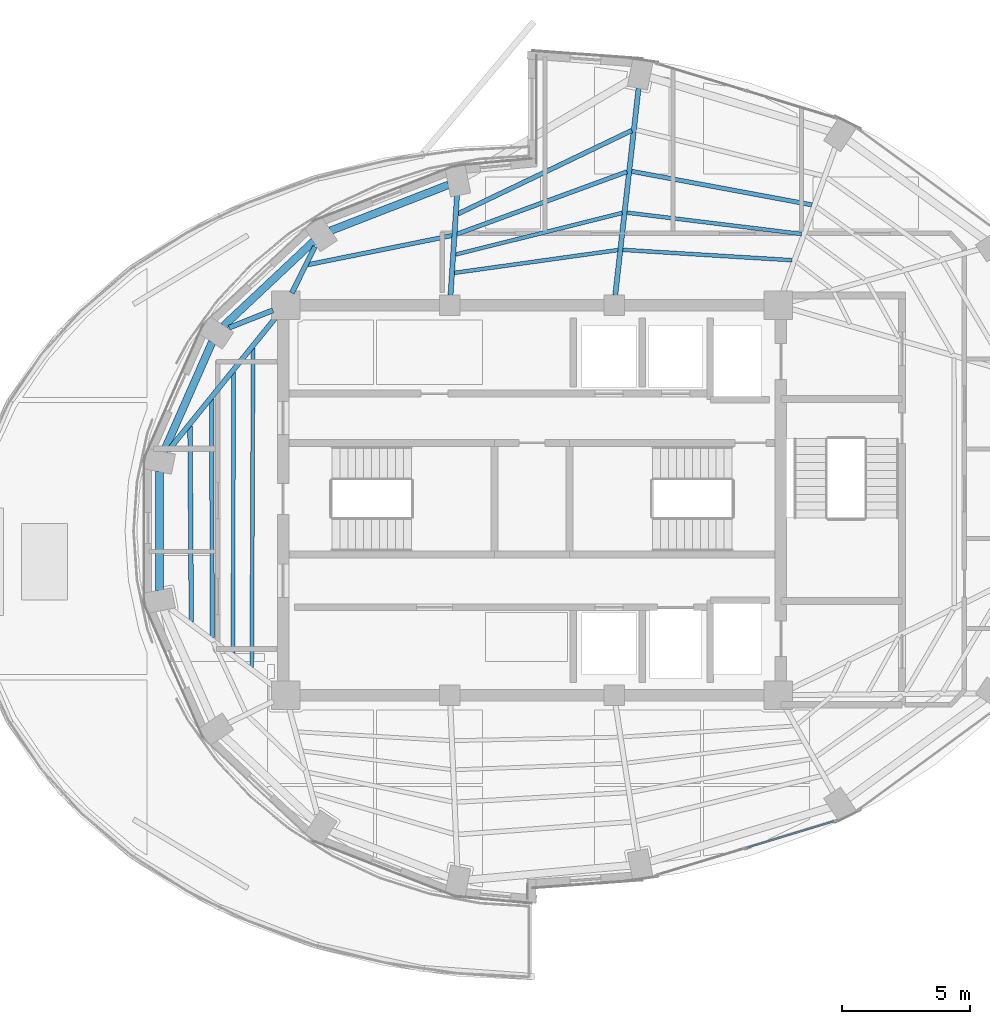
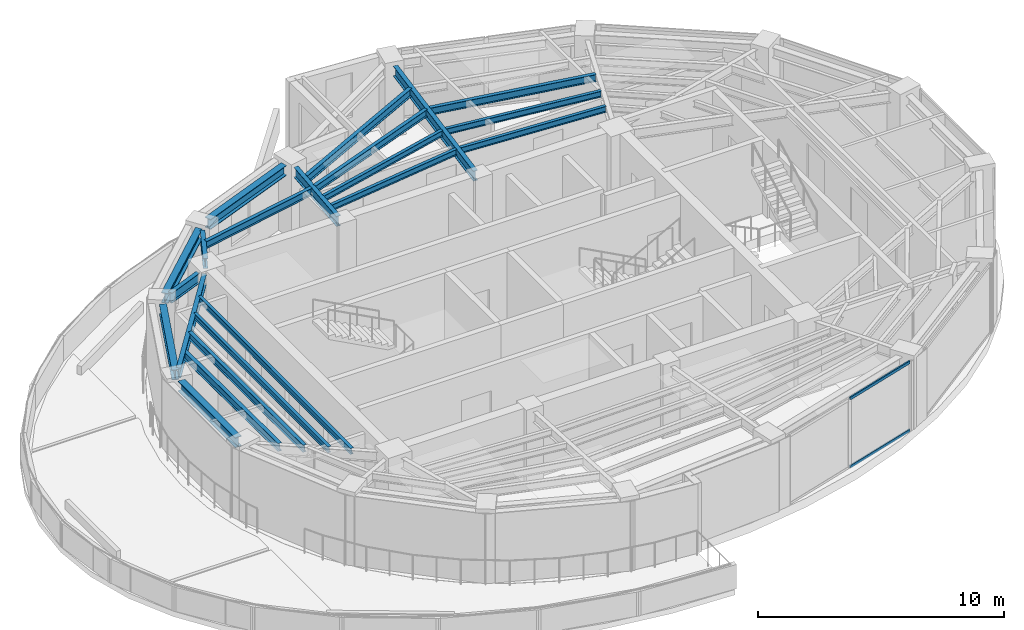
# One storey, part 3 of 15: 21 beams, 2 members, 1 element without a shape of its own.
"""IFC4 building model written with IfcOpenShell, lengths in metres."""

from ifc_helpers import new_model, si_unit, direction, frame, origin, origin_2d, place, context, subcontext, project, spatial, hollow_rectangle, i_section, extrude, material, layer, layer_set, material_profile, profile_set, type_object, element, aggregate, save


model = new_model("IFC4")

# Units and contexts
model_context = context("Model", 3, precision=1e-05, world=origin(), true_north=direction((0.0, 1.0)))
body_context = subcontext(model_context, "Body", "Model", "MODEL_VIEW")
ifc_project = project(units=[si_unit("LENGTHUNIT", "METRE"), si_unit("AREAUNIT", "SQUARE_METRE"), si_unit("VOLUMEUNIT", "CUBIC_METRE"), si_unit("PLANEANGLEUNIT", "RADIAN"), si_unit("MASSUNIT", "GRAM", prefix="KILO")], contexts=[model_context])

# Site, building, storey
site_placement = place(None, origin())
site = spatial("IfcSite", under=ifc_project, at=site_placement, CompositionType="ELEMENT")
building_placement = place(site_placement, origin())
building = spatial("IfcBuilding", under=site, at=building_placement, Name="Lazwardi Medical Tower", CompositionType="ELEMENT")
storey_placement = place(building_placement, frame((0.0, 0.0, 269.615966796875)))
storey = spatial("IfcBuildingStorey", under=building, at=storey_placement, Name="L70", CompositionType="ELEMENT", Elevation=269.615966796875)

# Beams
ifc_material_1 = material(Name="Steel S355", Category="steel")
ifc_material_profile_1 = material_profile(ifc_material_1, i_section(OverallWidth=0.300048828125, OverallDepth=0.5, WebThickness=0.014404296875, FlangeThickness=0.028076171875, at=origin_2d()), Name="HEB 500")
ifc_profile_set_1 = profile_set([ifc_material_profile_1], Name="Steel S355")
beam_type_1 = type_object("IfcBeamType", Name="BM-RB-Z4", PredefinedType="BEAM", material=ifc_profile_set_1)
beam_1_placement = place(storey_placement, frame((32.749267578125, 40.29150390625, 3.197998046875), z_axis=(-0.931959260109, -0.362563011761, 0.0), x_axis=(0.362563011761, -0.931959260109, 0.0)))
element("IfcBeam", 1, at=beam_1_placement, inside=storey, type_object=beam_type_1, Name="Ring beam RB-05 B09 L70", PredefinedType="BEAM", context=body_context, shape_type="SweptSolid", body=[
    extrude(i_section(OverallWidth=0.300048828125, OverallDepth=0.5, WebThickness=0.014404296875, FlangeThickness=0.028076171875, at=origin_2d()), origin(), (0.0, 0.0, 1.0), 4.944580078125),
])
beam_2_placement = place(storey_placement, frame((27.493408203125, 38.09033203125, 3.197998046875), z_axis=(-0.728935349177, -0.684582541934, 0.0), x_axis=(0.684582541934, -0.728935349177, 0.0)))
element("IfcBeam", 2, at=beam_2_placement, inside=storey, type_object=beam_type_1, Name="Ring beam RB-05 B10 L70", PredefinedType="BEAM", context=body_context, shape_type="SweptSolid", body=[
    extrude(i_section(OverallWidth=0.300048828125, OverallDepth=0.5, WebThickness=0.014404296875, FlangeThickness=0.028076171875, at=origin_2d()), origin(), (0.0, 0.0, 1.0), 4.822021484375),
])
beam_3_placement = place(storey_placement, frame((23.536865234375, 34.16552734375, 3.197998046875), z_axis=(-0.403522451548, -0.914969743268, 0.0), x_axis=(0.914969743268, -0.403522451548, 0.0)))
element("IfcBeam", 3, at=beam_3_placement, inside=storey, type_object=beam_type_1, Name="Ring beam RB-05 B11 L70", PredefinedType="BEAM", context=body_context, shape_type="SweptSolid", body=[
    extrude(i_section(OverallWidth=0.300048828125, OverallDepth=0.5, WebThickness=0.014404296875, FlangeThickness=0.028076171875, at=origin_2d()), origin(), (0.0, 0.0, 1.0), 4.6962890625),
])
beam_4_placement = place(storey_placement, frame((21.484375, 29.121826171875, 3.197998046875), z_axis=(0.0, -1.0, 0.0), x_axis=(1.0, 0.0, 0.0)))
element("IfcBeam", 4, at=beam_4_placement, inside=storey, type_object=beam_type_1, Name="Ring beam RB-05 B12 L70", PredefinedType="BEAM", context=body_context, shape_type="SweptSolid", body=[
    extrude(i_section(OverallWidth=0.300048828125, OverallDepth=0.5, WebThickness=0.014404296875, FlangeThickness=0.028076171875, at=origin_2d()), origin(), (0.0, 0.0, 1.0), 4.6435546875),
])
ifc_material_profile_2 = material_profile(ifc_material_1, i_section(OverallWidth=0.199951171875, OverallDepth=0.5, WebThickness=0.01025390625, FlangeThickness=0.01611328125, at=origin_2d()), Name="IPE 500")
ifc_profile_set_2 = profile_set([ifc_material_profile_2], Name="Steel S355")
beam_type_2 = type_object("IfcBeamType", Name="BM-RG-W3", PredefinedType="BEAM", material=ifc_profile_set_2)
beam_5_placement = place(storey_placement, frame((40.154052734375, 44.066650390625, 3.197998046875), z_axis=(-0.11196962105, -0.993711630183, 0.0), x_axis=(0.993711630183, -0.11196962105, 0.0)))
element("IfcBeam", 5, at=beam_5_placement, inside=storey, type_object=beam_type_2, Name="Radial girder RG-04 R08 L70", PredefinedType="BEAM", context=body_context, shape_type="SweptSolid", body=[
    extrude(i_section(OverallWidth=0.199951171875, OverallDepth=0.5, WebThickness=0.01025390625, FlangeThickness=0.01611328125, at=origin_2d()), origin(), (0.0, 0.0, 1.0), 8.13525390625),
])
beam_6_placement = place(storey_placement, frame((33.078125, 39.89892578125, 3.197998046875), z_axis=(-0.064536216654, -0.99791536552, 0.0), x_axis=(0.99791536552, -0.064536216654, 0.0)))
element("IfcBeam", 6, at=beam_6_placement, inside=storey, type_object=beam_type_2, Name="Radial girder RG-04 R09 L70", PredefinedType="BEAM", context=body_context, shape_type="SweptSolid", body=[
    extrude(i_section(OverallWidth=0.199951171875, OverallDepth=0.5, WebThickness=0.01025390625, FlangeThickness=0.01611328125, at=origin_2d()), origin(), (0.0, 0.0, 1.0), 3.9228515625),
])
beam_7_placement = place(storey_placement, frame((27.53857421875, 37.87890625, 3.197998046875), z_axis=(-0.446922417137, -0.894572720946, 0.0), x_axis=(0.894572720946, -0.446922417137, 0.0)))
element("IfcBeam", 7, at=beam_7_placement, inside=storey, type_object=beam_type_2, Name="Radial girder RG-04 R10 L70", PredefinedType="BEAM", context=body_context, shape_type="SweptSolid", body=[
    extrude(i_section(OverallWidth=0.199951171875, OverallDepth=0.5, WebThickness=0.01025390625, FlangeThickness=0.01611328125, at=origin_2d()), origin(), (0.0, 0.0, 1.0), 2.012451171875),
])
beam_8_placement = place(storey_placement, frame((24.191162109375, 34.72021484375, 3.197998046875), z_axis=(0.929014807026, 0.370042549347, 0.0), x_axis=(-0.370042549347, 0.929014807026, 0.0)))
element("IfcBeam", 8, at=beam_8_placement, inside=storey, type_object=beam_type_2, Name="Radial girder RG-04 R11 L70", PredefinedType="BEAM", context=body_context, shape_type="SweptSolid", body=[
    extrude(i_section(OverallWidth=0.199951171875, OverallDepth=0.5, WebThickness=0.01025390625, FlangeThickness=0.01611328125, at=origin_2d()), origin(), (0.0, 0.0, 1.0), 1.8427734375),
])
beam_9_placement = place(storey_placement, frame((21.820556640625, 29.927978515625, 3.197998046875), z_axis=(0.62820165026, 0.778050568158, 0.0), x_axis=(-0.778050568158, 0.62820165026, 0.0)))
element("IfcBeam", 9, at=beam_9_placement, inside=storey, type_object=beam_type_2, Name="Radial girder RG-04 R12 L70", PredefinedType="BEAM", context=body_context, shape_type="SweptSolid", body=[
    extrude(i_section(OverallWidth=0.199951171875, OverallDepth=0.5, WebThickness=0.01025390625, FlangeThickness=0.01611328125, at=origin_2d()), origin(), (0.0, 0.0, 1.0), 6.7548828125),
])
ifc_material_profile_3 = material_profile(ifc_material_1, i_section(OverallWidth=0.179931640625, OverallDepth=0.39990234375, WebThickness=0.008544921875, FlangeThickness=0.013427734375, at=origin_2d()), Name="IPE 400")
ifc_profile_set_3 = profile_set([ifc_material_profile_3], Name="Steel S355")
beam_type_3 = type_object("IfcBeamType", Name="BM-SJ-01", PredefinedType="JOIST", material=ifc_profile_set_3)
beam_10_placement = place(storey_placement, frame((39.88623046875, 42.40869140625, 3.248046875), z_axis=(-0.901499730142, -0.432779662823, 0.0), x_axis=(0.432779662823, -0.901499730142, 0.0)))
element("IfcBeam", 10, at=beam_10_placement, inside=storey, type_object=beam_type_3, Name="Secondary joist SJ-01 R1 B08 L70", PredefinedType="JOIST", context=body_context, shape_type="SweptSolid", body=[
    extrude(i_section(OverallWidth=0.179931640625, OverallDepth=0.39990234375, WebThickness=0.008544921875, FlangeThickness=0.013427734375, at=origin_2d()), origin(), (0.0, 0.0, 1.0), 7.512939453125),
])
beam_11_placement = place(storey_placement, frame((22.669921875, 30.88427734375, 3.248046875), z_axis=(0.007038023905, -0.999975232803, 0.0), x_axis=(0.999975232803, 0.007038023905, 0.0)))
element("IfcBeam", 11, at=beam_11_placement, inside=storey, type_object=beam_type_3, Name="Secondary joist SJ-01 R1 B12 L70", PredefinedType="JOIST", context=body_context, shape_type="SweptSolid", body=[
    extrude(i_section(OverallWidth=0.179931640625, OverallDepth=0.39990234375, WebThickness=0.008544921875, FlangeThickness=0.013427734375, at=origin_2d()), origin(), (0.0, 0.0, 1.0), 7.631591796875),
])
ifc_material_profile_4 = material_profile(ifc_material_1, i_section(OverallWidth=0.169921875, OverallDepth=0.360107421875, WebThickness=0.008056640625, FlangeThickness=0.0126953125, at=origin_2d()), Name="IPE 360")
ifc_profile_set_4 = profile_set([ifc_material_profile_4], Name="Steel S355")
beam_type_4 = type_object("IfcBeamType", Name="BM-SJ-02", PredefinedType="JOIST", material=ifc_profile_set_4)
beam_12_placement = place(storey_placement, frame((46.910400390625, 39.50927734375, 3.26806640625), z_axis=(-0.98315560802, 0.182770485635, 0.0), x_axis=(-0.182770485635, -0.98315560802, 0.0)))
element("IfcBeam", 12, at=beam_12_placement, inside=storey, type_object=beam_type_4, Name="Secondary joist SJ-02 R2 B07 L70", PredefinedType="JOIST", context=body_context, shape_type="SweptSolid", body=[
    extrude(i_section(OverallWidth=0.169921875, OverallDepth=0.360107421875, WebThickness=0.008056640625, FlangeThickness=0.0126953125, at=origin_2d()), origin(), (0.0, 0.0, 1.0), 7.147705078125),
])
beam_13_placement = place(storey_placement, frame((39.700439453125, 40.80029296875, 3.26806640625), z_axis=(-0.938784720842, -0.34450435108, 0.0), x_axis=(0.34450435108, -0.938784720842, 0.0)))
element("IfcBeam", 13, at=beam_13_placement, inside=storey, type_object=beam_type_4, Name="Secondary joist SJ-02 R2 B08 L70", PredefinedType="JOIST", context=body_context, shape_type="SweptSolid", body=[
    extrude(i_section(OverallWidth=0.169921875, OverallDepth=0.360107421875, WebThickness=0.008056640625, FlangeThickness=0.0126953125, at=origin_2d()), origin(), (0.0, 0.0, 1.0), 7.06689453125),
])
beam_14_placement = place(storey_placement, frame((32.8837890625, 38.314208984375, 3.26806640625), z_axis=(-0.980097246244, -0.198517978793, 0.0), x_axis=(0.198517978793, -0.980097246244, 0.0)))
element("IfcBeam", 14, at=beam_14_placement, inside=storey, type_object=beam_type_4, Name="Secondary joist SJ-02 R2 B09 L70", PredefinedType="JOIST", context=body_context, shape_type="SweptSolid", body=[
    extrude(i_section(OverallWidth=0.169921875, OverallDepth=0.360107421875, WebThickness=0.008056640625, FlangeThickness=0.0126953125, at=origin_2d()), origin(), (0.0, 0.0, 1.0), 5.72607421875),
])
beam_15_placement = place(storey_placement, frame((23.51806640625, 31.935302734375, 3.26806640625), z_axis=(0.001918121439, -0.999998160403, 0.0), x_axis=(0.999998160403, 0.001918121439, 0.0)))
element("IfcBeam", 15, at=beam_15_placement, inside=storey, type_object=beam_type_4, Name="Secondary joist SJ-02 R2 B12 L70", PredefinedType="JOIST", context=body_context, shape_type="SweptSolid", body=[
    extrude(i_section(OverallWidth=0.169921875, OverallDepth=0.360107421875, WebThickness=0.008056640625, FlangeThickness=0.0126953125, at=origin_2d()), origin(), (0.0, 0.0, 1.0), 9.29150390625),
])
ifc_material_profile_5 = material_profile(ifc_material_1, i_section(OverallWidth=0.14990234375, OverallDepth=0.300048828125, WebThickness=0.007080078125, FlangeThickness=0.0107421875, at=origin_2d()), Name="IPE 300")
ifc_profile_set_5 = profile_set([ifc_material_profile_5], Name="Steel S355")
beam_type_5 = type_object("IfcBeamType", Name="BM-SJ-03", PredefinedType="JOIST", material=ifc_profile_set_5)
beam_16_placement = place(storey_placement, frame((46.502197265625, 38.373779296875, 3.298095703125), z_axis=(-0.992619429406, 0.121271053287, 0.0), x_axis=(-0.121271053287, -0.992619429406, 0.0)))
element("IfcBeam", 16, at=beam_16_placement, inside=storey, type_object=beam_type_5, Name="Secondary joist SJ-03 R3 B07 L70", PredefinedType="JOIST", context=body_context, shape_type="SweptSolid", body=[
    extrude(i_section(OverallWidth=0.14990234375, OverallDepth=0.300048828125, WebThickness=0.007080078125, FlangeThickness=0.0107421875, at=origin_2d()), origin(), (0.0, 0.0, 1.0), 6.850830078125),
])
beam_17_placement = place(storey_placement, frame((39.515380859375, 39.193359375, 3.298095703125), z_axis=(-0.970279606817, -0.241986538045, 0.0), x_axis=(0.241986538045, -0.970279606817, 0.0)))
element("IfcBeam", 17, at=beam_17_placement, inside=storey, type_object=beam_type_5, Name="Secondary joist SJ-03 R3 B08 L70", PredefinedType="JOIST", context=body_context, shape_type="SweptSolid", body=[
    extrude(i_section(OverallWidth=0.14990234375, OverallDepth=0.300048828125, WebThickness=0.007080078125, FlangeThickness=0.0107421875, at=origin_2d()), origin(), (0.0, 0.0, 1.0), 6.696044921875),
])
beam_18_placement = place(storey_placement, frame((24.366455078125, 32.986572265625, 3.298095703125), z_axis=(-0.001649574216, -0.999998639452, 0.0), x_axis=(0.999998639452, -0.001649574216, 0.0)))
element("IfcBeam", 18, at=beam_18_placement, inside=storey, type_object=beam_type_5, Name="Secondary joist SJ-03 R3 B12 L70", PredefinedType="JOIST", context=body_context, shape_type="SweptSolid", body=[
    extrude(i_section(OverallWidth=0.14990234375, OverallDepth=0.300048828125, WebThickness=0.007080078125, FlangeThickness=0.0107421875, at=origin_2d()), origin(), (0.0, 0.0, 1.0), 10.9521484375),
])
beam_19_placement = place(storey_placement, frame((46.135009765625, 37.3515625, 3.298095703125), z_axis=(-0.998131677286, 0.061099548269, 0.0), x_axis=(-0.061099548269, -0.998131677286, 0.0)))
element("IfcBeam", 19, at=beam_19_placement, inside=storey, type_object=beam_type_5, Name="Secondary joist SJ-03 R4 B07 L70", PredefinedType="JOIST", context=body_context, shape_type="SweptSolid", body=[
    extrude(i_section(OverallWidth=0.14990234375, OverallDepth=0.300048828125, WebThickness=0.007080078125, FlangeThickness=0.0107421875, at=origin_2d()), origin(), (0.0, 0.0, 1.0), 6.609130859375),
])
beam_20_placement = place(storey_placement, frame((39.349365234375, 37.748046875, 3.298095703125), z_axis=(-0.990406947737, -0.138181322454, 0.0), x_axis=(0.138181322454, -0.990406947737, 0.0)))
element("IfcBeam", 20, at=beam_20_placement, inside=storey, type_object=beam_type_5, Name="Secondary joist SJ-03 R4 B08 L70", PredefinedType="JOIST", context=body_context, shape_type="SweptSolid", body=[
    extrude(i_section(OverallWidth=0.14990234375, OverallDepth=0.300048828125, WebThickness=0.007080078125, FlangeThickness=0.0107421875, at=origin_2d()), origin(), (0.0, 0.0, 1.0), 6.4365234375),
])
beam_21_placement = place(storey_placement, frame((25.1298828125, 33.9326171875, 3.298095703125), z_axis=(-0.004060302734, -0.999991756937, 0.0), x_axis=(0.999991756937, -0.004060302734, 0.0)))
element("IfcBeam", 21, at=beam_21_placement, inside=storey, type_object=beam_type_5, Name="Secondary joist SJ-03 R4 B12 L70", PredefinedType="JOIST", context=body_context, shape_type="SweptSolid", body=[
    extrude(i_section(OverallWidth=0.14990234375, OverallDepth=0.300048828125, WebThickness=0.007080078125, FlangeThickness=0.0107421875, at=origin_2d()), origin(), (0.0, 0.0, 1.0), 12.446533203125),
])

# Curtain wall, members
ifc_material_2 = material(Name="Anodised bronze aluminium and solar control glazing", Category="aluminium")
ifc_layer = layer(ifc_material_2, 0.18994140625)
ifc_layer_set = layer_set([ifc_layer], Name="Anodised bronze aluminium and solar control glazing")
curtain_wall_type = type_object("IfcCurtainWallType", Name="CW-SYS-04", PredefinedType="NOTDEFINED", material=ifc_layer_set)
curtain_wall_placement = place(storey_placement, origin())
curtain_wall = element("IfcCurtainWall", 22, at=curtain_wall_placement, inside=storey, type_object=curtain_wall_type, Name="L70 Unitised bronze curtain wall CW-04", PredefinedType="NOTDEFINED")
ifc_material_3 = material(Name="Anodised bronze aluminium", Category="aluminium")
ifc_material_profile_6 = material_profile(ifc_material_3, hollow_rectangle(XDim=0.06494140625, YDim=0.139892578125, WallThickness=0.00341796875, at=origin_2d()), Name="ALU-TRANSOM 140x65x3.5")
ifc_profile_set_6 = profile_set([ifc_material_profile_6], Name="Anodised bronze aluminium")
member_type = type_object("IfcMemberType", Name="CW-TRN-03", PredefinedType="USERDEFINED", material=ifc_profile_set_6)
member_1_placement = place(storey_placement, frame((44.367431640625, 14.4541015625, 0.032470703125), z_axis=(0.956843409009, 0.290604010015, 0.0), x_axis=(-0.290604010015, 0.956843409009, 0.0)))
member_1 = element("IfcMember", 23, at=member_1_placement, type_object=member_type, Name="CW-04 transom 2.1", ObjectType="TRANSOM", PredefinedType="USERDEFINED", context=body_context, shape_type="SweptSolid", body=[
    extrude(hollow_rectangle(XDim=0.06494140625, YDim=0.139892578125, WallThickness=0.00341796875, at=origin_2d()), origin(), (0.0, 0.0, 1.0), 3.554443359375),
])
member_2_placement = place(storey_placement, frame((44.367431640625, 14.4541015625, 3.41552734375), z_axis=(0.956843409009, 0.290604010015, 0.0), x_axis=(-0.290604010015, 0.956843409009, 0.0)))
member_2 = element("IfcMember", 24, at=member_2_placement, type_object=member_type, Name="CW-04 transom 2.2", ObjectType="TRANSOM", PredefinedType="USERDEFINED", context=body_context, shape_type="SweptSolid", body=[
    extrude(hollow_rectangle(XDim=0.06494140625, YDim=0.139892578125, WallThickness=0.00341796875, at=origin_2d()), origin(), (0.0, 0.0, 1.0), 3.554443359375),
])
aggregate(curtain_wall, [member_1, member_2])

save(model, "model.ifc")
